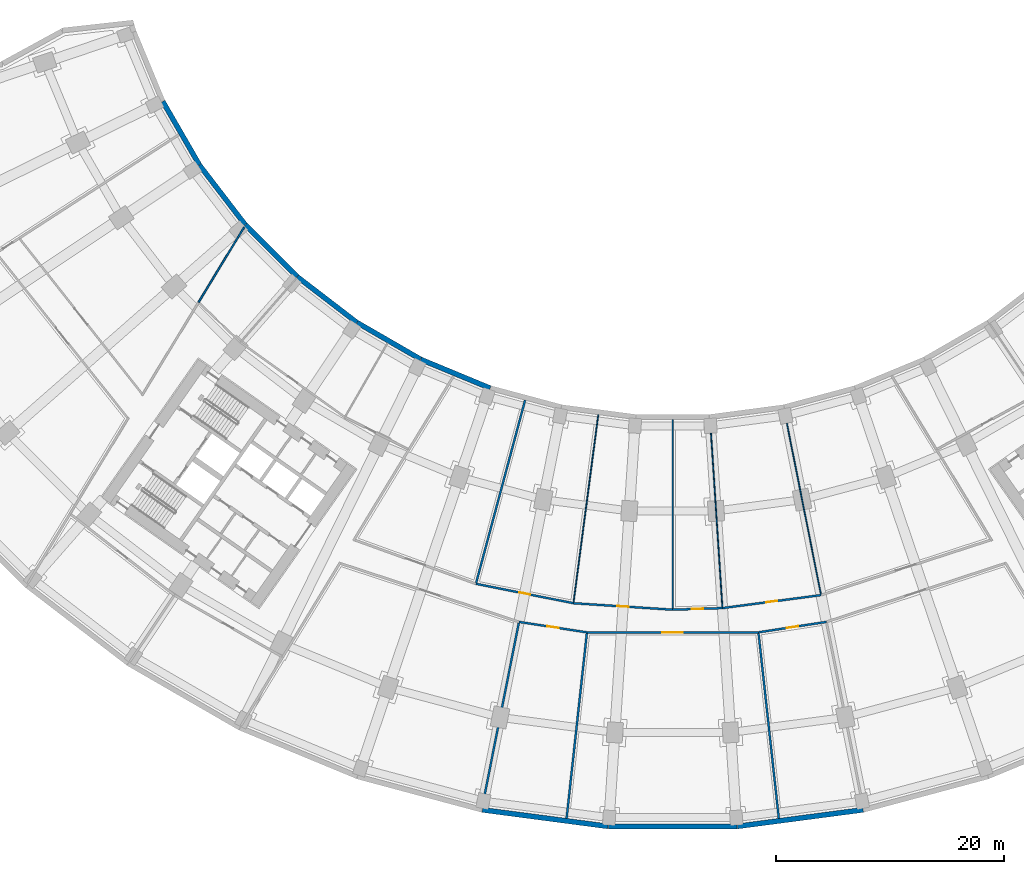
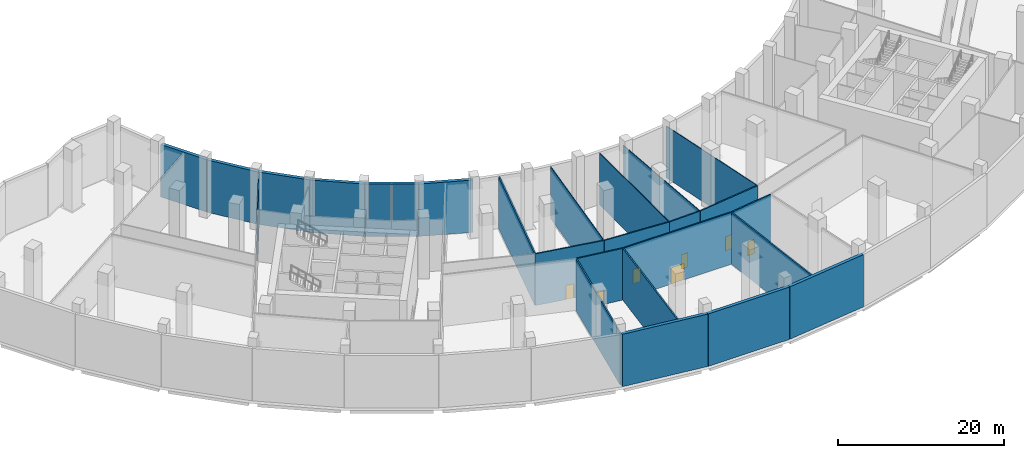
# One storey, part 7 of 19: 25 walls, 7 doors, 7 openings.
"""IFC4 building model written with IfcOpenShell, lengths in metres."""

from ifc_helpers import new_model, si_unit, direction, frame, frame_2d, origin, place, context, subcontext, project, spatial, rectangle, extrude, material, layer, layer_set, type_object, element, fill, save


model = new_model("IFC4")

# Units and contexts
model_context = context("Model", 3, precision=1e-05, world=origin(), true_north=direction((0.0, 1.0)))
body_context = subcontext(model_context, "Body", "Model", "MODEL_VIEW")
ifc_project = project(units=[si_unit("LENGTHUNIT", "METRE"), si_unit("AREAUNIT", "SQUARE_METRE"), si_unit("VOLUMEUNIT", "CUBIC_METRE"), si_unit("PLANEANGLEUNIT", "RADIAN"), si_unit("MASSUNIT", "GRAM", prefix="KILO")], contexts=[model_context])

# Site, building, storey
site_placement = place(None, origin())
site = spatial("IfcSite", under=ifc_project, at=site_placement, CompositionType="ELEMENT")
building_placement = place(site_placement, origin())
building = spatial("IfcBuilding", under=site, at=building_placement, Name="Qamariyya Broadcast Tower", CompositionType="ELEMENT")
storey_placement = place(building_placement, frame((0.0, 0.0, 9.0)))
storey = spatial("IfcBuildingStorey", under=building, at=storey_placement, Name="L01", CompositionType="ELEMENT", Elevation=9.0)

# Walls
ifc_material_1 = material(Name="Gypsum board partition")
ifc_layer_1 = layer(ifc_material_1, 0.14990234375)
ifc_layer_set_1 = layer_set([ifc_layer_1], Name="Corridor partition 150 EI 60")
wall_type_1 = type_object("IfcWallType", Name="Corridor partition 150 EI 60", PredefinedType="PARTITIONING", material=ifc_layer_set_1)
wall_1_placement = place(storey_placement, frame((-37.6376953125, -33.18701171875, 0.0), z_axis=(0.0, 0.0, 1.0), x_axis=(-0.519163683086, -0.854674833, 0.0)))
element("IfcWall", 1, at=wall_1_placement, inside=storey, type_object=wall_type_1, Name="Partition L01-014", PredefinedType="PARTITIONING", context=body_context, shape_type="SweptSolid", body=[
    extrude(rectangle(XDim=7.724853515625, YDim=0.14990234375, at=frame_2d((3.8623046875, 0.0))), origin(), (0.0, 0.0, 1.0), 7.60009765625),
])
ifc_layer_2 = layer(ifc_material_1, 0.10009765625)
ifc_layer_set_2 = layer_set([ifc_layer_2], Name="Partition 100")
wall_type_2 = type_object("IfcWallType", Name="Partition 100", PredefinedType="PARTITIONING", material=ifc_layer_set_2)
for number, where, z_axis, x_axis, name in (
    (2, (-6.53857421875, -49.6650390625, 0.0), (0.0, 0.0, 1.0), (-0.130529385637, -0.991444440947, 0.0), "Partition L01-031"),
    (3, (0.0, -50.093505859375, 0.0), (0.0, 0.0, 1.0), (0.0, -1.0, 0.0), "Partition L01-033"),
):
    element("IfcWall", number, at=place(storey_placement, frame(where, z_axis=z_axis, x_axis=x_axis)), inside=storey, type_object=wall_type_2, Name=name, PredefinedType="PARTITIONING", context=body_context, shape_type="SweptSolid", body=[
        extrude(rectangle(XDim=16.616455078125, YDim=0.10009765625, at=frame_2d((8.30810546875, 0.0))), origin(), (0.0, 0.0, 1.0), 7.60009765625),
    ])
for number, where, z_axis, x_axis, name in (
    (4, (3.283203125, -50.092529296875, 0.0), (0.0, 0.0, 1.0), (0.065405001109, -0.997858800547, 0.0), "Partition L01-034"),
    (5, (9.79345703125, -49.2353515625, 0.0), (0.0, 0.0, 1.0), (0.195089444663, -0.980785454919, 0.0), "Partition L01-038"),
):
    element("IfcWall", number, at=place(storey_placement, frame(where, z_axis=z_axis, x_axis=x_axis)), inside=storey, type_object=wall_type_2, Name=name, PredefinedType="PARTITIONING", context=body_context, shape_type="SweptSolid", body=[
        extrude(rectangle(XDim=16.510009765625, YDim=0.10009765625, at=frame_2d((8.2548828125, 0.0))), origin(), (0.0, 0.0, 1.0), 7.60009765625),
    ])
ifc_material_2 = material(Name="Precast concrete C40/50 with terracotta facing", Category="masonry")
ifc_layer_3 = layer(ifc_material_2, 0.449951171875)
ifc_layer_set_3 = layer_set([ifc_layer_3], Name="Precast concrete C40/50 wall 450, terracotta faced")
wall_type_3 = type_object("IfcWallType", Name="Precast concrete C40/50 wall 450, terracotta faced", PredefinedType="SOLIDWALL", material=ifc_layer_set_3)
wall_2_placement = place(storey_placement, frame((-41.58251953125, -27.7138671875, 0.0), z_axis=(0.0, 0.0, 1.0), x_axis=(-0.50000447882, 0.866022817921, 0.0)))
element("IfcWall", 6, at=wall_2_placement, inside=storey, type_object=wall_type_3, Name="e-wl-L01-in20", PredefinedType="SOLIDWALL", context=body_context, shape_type="SweptSolid", body=[
    extrude(rectangle(XDim=6.41943359375, YDim=0.449951171875, at=frame_2d((3.209716796875, 0.0))), origin(), (0.0, 0.0, 1.0), 7.699951171875),
])
wall_3_placement = place(storey_placement, frame((-37.55517578125, -32.974853515625, 0.0), z_axis=(0.0, 0.0, 1.0), x_axis=(-0.608780327927, 0.793338838284, 0.0)))
element("IfcWall", 7, at=wall_3_placement, inside=storey, type_object=wall_type_3, Name="e-wl-L01-in30", PredefinedType="SOLIDWALL", context=body_context, shape_type="SweptSolid", body=[
    extrude(rectangle(XDim=6.596923828125, YDim=0.449951171875, at=frame_2d((3.29833984375, 0.0))), origin(), (0.0, 0.0, 1.0), 7.699951171875),
])
wall_4_placement = place(storey_placement, frame((-32.992919921875, -37.531982421875, 0.0), z_axis=(0.0, 0.0, 1.0), x_axis=(-0.707106781187, 0.707106781187, 0.0)))
element("IfcWall", 8, at=wall_4_placement, inside=storey, type_object=wall_type_3, Name="e-wl-L01-in40", PredefinedType="SOLIDWALL", context=body_context, shape_type="SweptSolid", body=[
    extrude(rectangle(XDim=6.419189453125, YDim=0.449951171875, at=frame_2d((3.20947265625, 0.0))), origin(), (0.0, 0.0, 1.0), 7.699951171875),
])
wall_5_placement = place(storey_placement, frame((-27.7412109375, -41.5712890625, 0.0), z_axis=(0.0, 0.0, 1.0), x_axis=(-0.793338838284, 0.608780327927, 0.0)))
element("IfcWall", 9, at=wall_5_placement, inside=storey, type_object=wall_type_3, Name="e-wl-L01-in50", PredefinedType="SOLIDWALL", context=body_context, shape_type="SweptSolid", body=[
    extrude(rectangle(XDim=6.596923828125, YDim=0.449951171875, at=frame_2d((3.29833984375, 0.0))), origin(), (0.0, 0.0, 1.0), 7.699951171875),
])
wall_6_placement = place(storey_placement, frame((-22.154541015625, -44.792236328125, 0.0), z_axis=(0.0, 0.0, 1.0), x_axis=(-0.866022817921, 0.50000447882, 0.0)))
element("IfcWall", 10, at=wall_6_placement, inside=storey, type_object=wall_type_3, Name="e-wl-L01-in60", PredefinedType="SOLIDWALL", context=body_context, shape_type="SweptSolid", body=[
    extrude(rectangle(XDim=6.41943359375, YDim=0.449951171875, at=frame_2d((3.209716796875, 0.0))), origin(), (0.0, 0.0, 1.0), 7.699951171875),
])
wall_7_placement = place(storey_placement, frame((-16.036376953125, -47.334716796875, 0.0), z_axis=(0.0, 0.0, 1.0), x_axis=(-0.923877459804, 0.382688436284, 0.0)))
element("IfcWall", 11, at=wall_7_placement, inside=storey, type_object=wall_type_3, Name="e-wl-L01-in70", PredefinedType="SOLIDWALL", context=body_context, shape_type="SweptSolid", body=[
    extrude(rectangle(XDim=6.59716796875, YDim=0.449951171875, at=frame_2d((3.298583984375, 0.0))), origin(), (0.0, 0.0, 1.0), 7.699951171875),
])
wall_8_placement = place(storey_placement, frame((-5.65625, -85.84033203125, 0.0), z_axis=(0.0, 0.0, 1.0), x_axis=(1.0, 0.0, 0.0)))
element("IfcWall", 12, at=wall_8_placement, inside=storey, type_object=wall_type_3, Name="e-wl-L01-out100", PredefinedType="SOLIDWALL", context=body_context, shape_type="SweptSolid", body=[
    extrude(rectangle(XDim=11.3125, YDim=0.449951171875, at=frame_2d((5.65625, 0.0))), origin(), (0.0, 0.0, 1.0), 7.699951171875),
])
for number, where, z_axis, x_axis, name in (
    (13, (5.684814453125, -85.83251953125, 0.0), (0.0, 0.0, 1.0), (0.991447502826, 0.130506126829, 0.0), "e-wl-L01-out110"),
    (14, (-16.72412109375, -84.37939453125, 0.0), (0.0, 0.0, 1.0), (0.991447502826, -0.130506126829, 0.0), "e-wl-L01-out90"),
):
    element("IfcWall", number, at=place(storey_placement, frame(where, z_axis=z_axis, x_axis=x_axis)), inside=storey, type_object=wall_type_3, Name=name, PredefinedType="SOLIDWALL", context=body_context, shape_type="SweptSolid", body=[
        extrude(rectangle(XDim=11.134521484375, YDim=0.449951171875, at=frame_2d((5.5673828125, 0.0))), origin(), (0.0, 0.0, 1.0), 7.699951171875),
    ])

# Wall, opening, door
ifc_layer_4 = layer(ifc_material_1, 0.179931640625)
ifc_layer_set_4 = layer_set([ifc_layer_4], Name="Studio acoustic partition 180 EI 60")
wall_type_4 = type_object("IfcWallType", Name="Studio acoustic partition 180 EI 60", PredefinedType="PARTITIONING", material=ifc_layer_set_4)
wall_9_placement = place(storey_placement, frame((-17.2890625, -64.52392578125, 0.0), z_axis=(0.0, 0.0, 1.0), x_axis=(0.980786466832, -0.195084357342, 0.0)))
wall_9 = element("IfcWall", 15, at=wall_9_placement, inside=storey, type_object=wall_type_4, Name="Partition L01-024", PredefinedType="PARTITIONING", context=body_context, shape_type="SweptSolid", body=[
    extrude(rectangle(XDim=8.73779296875, YDim=0.179931640625, at=frame_2d((4.368896484375, 0.0))), origin(), (0.0, 0.0, 1.0), 7.60009765625),
])
opening_1_placement = place(wall_9_placement, frame((3.868896484375, 0.0, 0.0)))
opening_1 = element("IfcOpeningElement", 16, at=opening_1_placement, cuts=wall_9, Name="Opening L01-D07", PredefinedType="OPENING", context=body_context, shape_type="SweptSolid", body=[
    extrude(rectangle(XDim=1.0, YDim=2.10009765625, at=frame_2d((0.5, 1.050048828125))), frame((0.0, 0.099853515625, 0.0), z_axis=(0.0, -1.0, 0.0), x_axis=(1.0, 0.0, 0.0)), (0.0, 0.0, 1.0), 0.199951171875),
])
ifc_material_3 = material(Name="Timber fire door leaf", Category="wood")
door_type_1 = type_object("IfcDoorType", Name="Fire door 1000 x 2100 FD60", OperationType="NOTDEFINED", PredefinedType="DOOR", material=ifc_material_3)
door_1_placement = place(opening_1_placement, origin())
door_1 = element("IfcDoor", 17, at=door_1_placement, inside=storey, type_object=door_type_1, Name="Door L01-D07", OperationType="SINGLE_SWING_RIGHT", OverallHeight=2.10009765625, OverallWidth=1.0, PredefinedType="DOOR", context=body_context, shape_type="SweptSolid", body=[
    extrude(rectangle(XDim=1.0, YDim=2.10009765625, at=frame_2d((0.5, 1.050048828125))), frame((0.0, 0.02490234375, 0.0), z_axis=(0.0, -1.0, 0.0), x_axis=(1.0, 0.0, 0.0)), (0.0, 0.0, 1.0), 0.050048828125),
])
fill(opening_1, door_1)

# Wall
wall_10_placement = place(storey_placement, frame((-16.73876953125, -84.1513671875, 0.0), z_axis=(0.0, 0.0, 1.0), x_axis=(0.195089444663, 0.980785454919, 0.0)))
element("IfcWall", 18, at=wall_10_placement, inside=storey, type_object=wall_type_4, Name="Partition L01-025", PredefinedType="PARTITIONING", context=body_context, shape_type="SweptSolid", body=[
    extrude(rectangle(XDim=16.510009765625, YDim=0.179931640625, at=frame_2d((8.2548828125, 0.0))), origin(), (0.0, 0.0, 1.0), 7.60009765625),
])

# Wall, opening, door
wall_11_placement = place(storey_placement, frame((-7.53173828125, -68.788818359375, 0.0), z_axis=(0.0, 0.0, 1.0), x_axis=(-0.98836608834, 0.152093640297, 0.0)))
wall_11 = element("IfcWall", 19, at=wall_11_placement, inside=storey, type_object=wall_type_4, Name="Partition L01-026", PredefinedType="PARTITIONING", context=body_context, shape_type="SweptSolid", body=[
    extrude(rectangle(XDim=6.038818359375, YDim=0.179931640625, at=frame_2d((3.01953125, 0.0))), origin(), (0.0, 0.0, 1.0), 7.60009765625),
])
opening_2_placement = place(wall_11_placement, frame((2.51953125, 0.0, 0.0)))
opening_2 = element("IfcOpeningElement", 20, at=opening_2_placement, cuts=wall_11, Name="Opening L01-D02", PredefinedType="OPENING", context=body_context, shape_type="SweptSolid", body=[
    extrude(rectangle(XDim=1.0, YDim=2.10009765625, at=frame_2d((0.5, 1.050048828125))), frame((0.0, 0.099853515625, 0.0), z_axis=(0.0, -1.0, 0.0), x_axis=(1.0, 0.0, 0.0)), (0.0, 0.0, 1.0), 0.199951171875),
])
door_2_placement = place(opening_2_placement, origin())
door_2 = element("IfcDoor", 21, at=door_2_placement, inside=storey, type_object=door_type_1, Name="Door L01-D02", OperationType="SINGLE_SWING_RIGHT", OverallHeight=2.10009765625, OverallWidth=1.0, PredefinedType="DOOR", context=body_context, shape_type="SweptSolid", body=[
    extrude(rectangle(XDim=1.0, YDim=2.10009765625, at=frame_2d((0.5, 1.050048828125))), frame((0.0, 0.02490234375, 0.0), z_axis=(0.0, -1.0, 0.0), x_axis=(1.0, 0.0, 0.0)), (0.0, 0.0, 1.0), 0.050048828125),
])
fill(opening_2, door_2)

# Walls
wall_12_placement = place(storey_placement, frame((-12.965087890625, -48.386474609375, 0.0), z_axis=(0.0, 0.0, 1.0), x_axis=(-0.258822009397, -0.965925032004, 0.0)))
element("IfcWall", 22, at=wall_12_placement, inside=storey, type_object=wall_type_4, Name="Partition L01-027", PredefinedType="PARTITIONING", context=body_context, shape_type="SweptSolid", body=[
    extrude(rectangle(XDim=16.61669921875, YDim=0.179931640625, at=frame_2d((8.308349609375, 0.0))), origin(), (0.0, 0.0, 1.0), 7.60009765625),
])
wall_13_placement = place(storey_placement, frame((-9.320556640625, -85.127197265625, 0.0), z_axis=(0.0, 0.0, 1.0), x_axis=(0.108837977541, 0.994059502568, 0.0)))
element("IfcWall", 23, at=wall_13_placement, inside=storey, type_object=wall_type_4, Name="Partition L01-028", PredefinedType="PARTITIONING", context=body_context, shape_type="SweptSolid", body=[
    extrude(rectangle(XDim=16.345947265625, YDim=0.179931640625, at=frame_2d((8.1728515625, 0.0))), origin(), (0.0, 0.0, 1.0), 7.60009765625),
])

# Wall, opening, door
wall_14_placement = place(storey_placement, frame((-8.71923828125, -66.228515625, 0.0), z_axis=(0.0, 0.0, 1.0), x_axis=(0.997858593599, -0.065408158359, 0.0)))
wall_14 = element("IfcWall", 24, at=wall_14_placement, inside=storey, type_object=wall_type_4, Name="Partition L01-029", PredefinedType="PARTITIONING", context=body_context, shape_type="SweptSolid", body=[
    extrude(rectangle(XDim=8.738037109375, YDim=0.179931640625, at=frame_2d((4.369140625, 0.0))), origin(), (0.0, 0.0, 1.0), 7.60009765625),
])
opening_3_placement = place(wall_14_placement, frame((3.868896484375, 0.0, 0.0)))
opening_3 = element("IfcOpeningElement", 25, at=opening_3_placement, cuts=wall_14, Name="Opening L01-D08", PredefinedType="OPENING", context=body_context, shape_type="SweptSolid", body=[
    extrude(rectangle(XDim=1.0, YDim=2.10009765625, at=frame_2d((0.5, 1.050048828125))), frame((0.0, 0.099853515625, 0.0), z_axis=(0.0, -1.0, 0.0), x_axis=(1.0, 0.0, 0.0)), (0.0, 0.0, 1.0), 0.199951171875),
])
door_3_placement = place(opening_3_placement, origin())
door_3 = element("IfcDoor", 26, at=door_3_placement, inside=storey, type_object=door_type_1, Name="Door L01-D08", OperationType="SINGLE_SWING_RIGHT", OverallHeight=2.10009765625, OverallWidth=1.0, PredefinedType="DOOR", context=body_context, shape_type="SweptSolid", body=[
    extrude(rectangle(XDim=1.0, YDim=2.10009765625, at=frame_2d((0.5, 1.050048828125))), frame((0.0, 0.02490234375, 0.0), z_axis=(0.0, -1.0, 0.0), x_axis=(1.0, 0.0, 0.0)), (0.0, 0.0, 1.0), 0.050048828125),
])
fill(opening_3, door_3)

wall_15_placement = place(storey_placement, frame((7.53173828125, -68.788818359375, 0.0), z_axis=(0.0, 0.0, 1.0), x_axis=(-1.0, 0.0, 0.0)))
wall_15 = element("IfcWall", 27, at=wall_15_placement, inside=storey, type_object=wall_type_4, Name="Partition L01-030", PredefinedType="PARTITIONING", context=body_context, shape_type="SweptSolid", body=[
    extrude(rectangle(XDim=15.0634765625, YDim=0.179931640625, at=frame_2d((7.53173828125, 0.0))), origin(), (0.0, 0.0, 1.0), 7.60009765625),
])
opening_4_placement = place(wall_15_placement, frame((6.631591796875, 0.0, 0.0)))
opening_4 = element("IfcOpeningElement", 28, at=opening_4_placement, cuts=wall_15, Name="Opening L01-D03", PredefinedType="OPENING", context=body_context, shape_type="SweptSolid", body=[
    extrude(rectangle(XDim=1.800048828125, YDim=2.39990234375, at=frame_2d((0.89990234375, 1.199951171875))), frame((0.0, 0.099853515625, 0.0), z_axis=(0.0, -1.0, 0.0), x_axis=(1.0, 0.0, 0.0)), (0.0, 0.0, 1.0), 0.199951171875),
])
ifc_material_4 = material(Name="Acoustic timber door leaf", Category="wood")
door_type_2 = type_object("IfcDoorType", Name="Studio double door 1800 x 2400 FD60", OperationType="NOTDEFINED", PredefinedType="DOOR", material=ifc_material_4)
door_4_placement = place(opening_4_placement, origin())
door_4 = element("IfcDoor", 29, at=door_4_placement, inside=storey, type_object=door_type_2, Name="Door L01-D03", OperationType="DOUBLE_DOOR_SINGLE_SWING", OverallHeight=2.39990234375, OverallWidth=1.800048828125, PredefinedType="DOOR", context=body_context, shape_type="SweptSolid", body=[
    extrude(rectangle(XDim=1.800048828125, YDim=2.39990234375, at=frame_2d((0.89990234375, 1.199951171875))), frame((0.0, 0.02490234375, 0.0), z_axis=(0.0, -1.0, 0.0), x_axis=(1.0, 0.0, 0.0)), (0.0, 0.0, 1.0), 0.050048828125),
])
fill(opening_4, door_4)

wall_16_placement = place(storey_placement, frame((0.0, -66.800048828125, 0.0), z_axis=(0.0, 0.0, 1.0), x_axis=(0.99946426167, 0.03272903366, 0.0)))
wall_16 = element("IfcWall", 30, at=wall_16_placement, inside=storey, type_object=wall_type_4, Name="Partition L01-032", PredefinedType="PARTITIONING", context=body_context, shape_type="SweptSolid", body=[
    extrude(rectangle(XDim=4.371337890625, YDim=0.179931640625, at=frame_2d((2.185546875, 0.0))), origin(), (0.0, 0.0, 1.0), 7.60009765625),
])
opening_5_placement = place(wall_16_placement, frame((1.685546875, 0.0, 0.0)))
opening_5 = element("IfcOpeningElement", 31, at=opening_5_placement, cuts=wall_16, Name="Opening L01-D09", PredefinedType="OPENING", context=body_context, shape_type="SweptSolid", body=[
    extrude(rectangle(XDim=1.0, YDim=2.10009765625, at=frame_2d((0.5, 1.050048828125))), frame((0.0, 0.099853515625, 0.0), z_axis=(0.0, -1.0, 0.0), x_axis=(1.0, 0.0, 0.0)), (0.0, 0.0, 1.0), 0.199951171875),
])
door_5_placement = place(opening_5_placement, origin())
door_5 = element("IfcDoor", 32, at=door_5_placement, inside=storey, type_object=door_type_1, Name="Door L01-D09", OperationType="SINGLE_SWING_RIGHT", OverallHeight=2.10009765625, OverallWidth=1.0, PredefinedType="DOOR", context=body_context, shape_type="SweptSolid", body=[
    extrude(rectangle(XDim=1.0, YDim=2.10009765625, at=frame_2d((0.5, 1.050048828125))), frame((0.0, 0.02490234375, 0.0), z_axis=(0.0, -1.0, 0.0), x_axis=(1.0, 0.0, 0.0)), (0.0, 0.0, 1.0), 0.050048828125),
])
fill(opening_5, door_5)

wall_17_placement = place(storey_placement, frame((4.368896484375, -66.656982421875, 0.0), z_axis=(0.0, 0.0, 1.0), x_axis=(0.991443260322, 0.130538352841, 0.0)))
wall_17 = element("IfcWall", 33, at=wall_17_placement, inside=storey, type_object=wall_type_4, Name="Partition L01-035", PredefinedType="PARTITIONING", context=body_context, shape_type="SweptSolid", body=[
    extrude(rectangle(XDim=8.73779296875, YDim=0.179931640625, at=frame_2d((4.368896484375, 0.0))), origin(), (0.0, 0.0, 1.0), 7.60009765625),
])
opening_6_placement = place(wall_17_placement, frame((3.868896484375, 0.0, 0.0)))
opening_6 = element("IfcOpeningElement", 34, at=opening_6_placement, cuts=wall_17, Name="Opening L01-D10", PredefinedType="OPENING", context=body_context, shape_type="SweptSolid", body=[
    extrude(rectangle(XDim=1.0, YDim=2.10009765625, at=frame_2d((0.5, 1.050048828125))), frame((0.0, 0.099853515625, 0.0), z_axis=(0.0, -1.0, 0.0), x_axis=(1.0, 0.0, 0.0)), (0.0, 0.0, 1.0), 0.199951171875),
])
door_6_placement = place(opening_6_placement, origin())
door_6 = element("IfcDoor", 35, at=door_6_placement, inside=storey, type_object=door_type_1, Name="Door L01-D10", OperationType="SINGLE_SWING_RIGHT", OverallHeight=2.10009765625, OverallWidth=1.0, PredefinedType="DOOR", context=body_context, shape_type="SweptSolid", body=[
    extrude(rectangle(XDim=1.0, YDim=2.10009765625, at=frame_2d((0.5, 1.050048828125))), frame((0.0, 0.02490234375, 0.0), z_axis=(0.0, -1.0, 0.0), x_axis=(1.0, 0.0, 0.0)), (0.0, 0.0, 1.0), 0.050048828125),
])
fill(opening_6, door_6)

wall_18_placement = place(storey_placement, frame((13.500244140625, -67.870361328125, 0.0), z_axis=(0.0, 0.0, 1.0), x_axis=(-0.98836608834, -0.152093640297, 0.0)))
wall_18 = element("IfcWall", 36, at=wall_18_placement, inside=storey, type_object=wall_type_4, Name="Partition L01-036", PredefinedType="PARTITIONING", context=body_context, shape_type="SweptSolid", body=[
    extrude(rectangle(XDim=6.038818359375, YDim=0.179931640625, at=frame_2d((3.01953125, 0.0))), origin(), (0.0, 0.0, 1.0), 7.60009765625),
])
opening_7_placement = place(wall_18_placement, frame((2.51953125, 0.0, 0.0)))
opening_7 = element("IfcOpeningElement", 37, at=opening_7_placement, cuts=wall_18, Name="Opening L01-D04", PredefinedType="OPENING", context=body_context, shape_type="SweptSolid", body=[
    extrude(rectangle(XDim=1.0, YDim=2.10009765625, at=frame_2d((0.5, 1.050048828125))), frame((0.0, 0.099853515625, 0.0), z_axis=(0.0, -1.0, 0.0), x_axis=(1.0, 0.0, 0.0)), (0.0, 0.0, 1.0), 0.199951171875),
])
door_7_placement = place(opening_7_placement, origin())
door_7 = element("IfcDoor", 38, at=door_7_placement, inside=storey, type_object=door_type_1, Name="Door L01-D04", OperationType="SINGLE_SWING_RIGHT", OverallHeight=2.10009765625, OverallWidth=1.0, PredefinedType="DOOR", context=body_context, shape_type="SweptSolid", body=[
    extrude(rectangle(XDim=1.0, YDim=2.10009765625, at=frame_2d((0.5, 1.050048828125))), frame((0.0, 0.02490234375, 0.0), z_axis=(0.0, -1.0, 0.0), x_axis=(1.0, 0.0, 0.0)), (0.0, 0.0, 1.0), 0.050048828125),
])
fill(opening_7, door_7)

# Wall
wall_19_placement = place(storey_placement, frame((9.320556640625, -85.127197265625, 0.0), z_axis=(0.0, 0.0, 1.0), x_axis=(-0.108837977541, 0.994059502568, 0.0)))
element("IfcWall", 39, at=wall_19_placement, inside=storey, type_object=wall_type_4, Name="Partition L01-037", PredefinedType="PARTITIONING", context=body_context, shape_type="SweptSolid", body=[
    extrude(rectangle(XDim=16.345947265625, YDim=0.179931640625, at=frame_2d((8.1728515625, 0.0))), origin(), (0.0, 0.0, 1.0), 7.60009765625),
])

save(model, "model.ifc")
